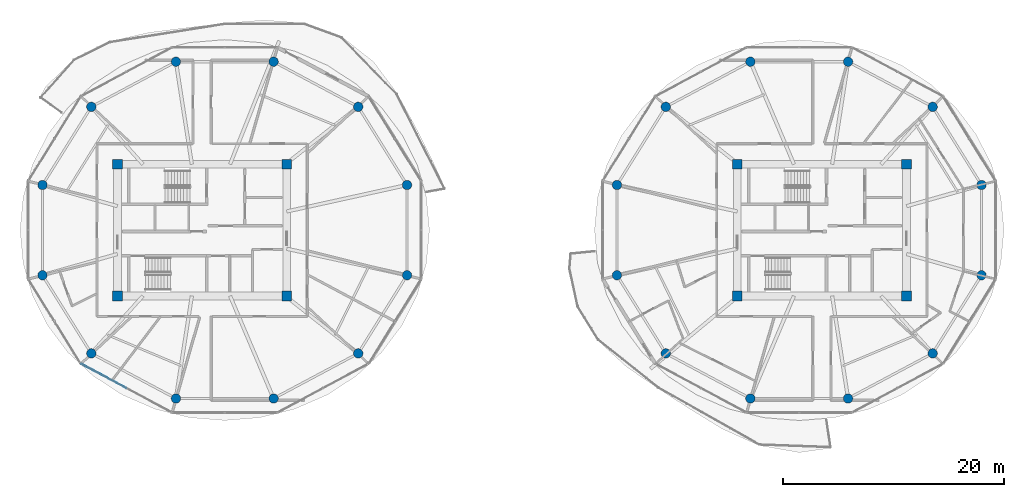
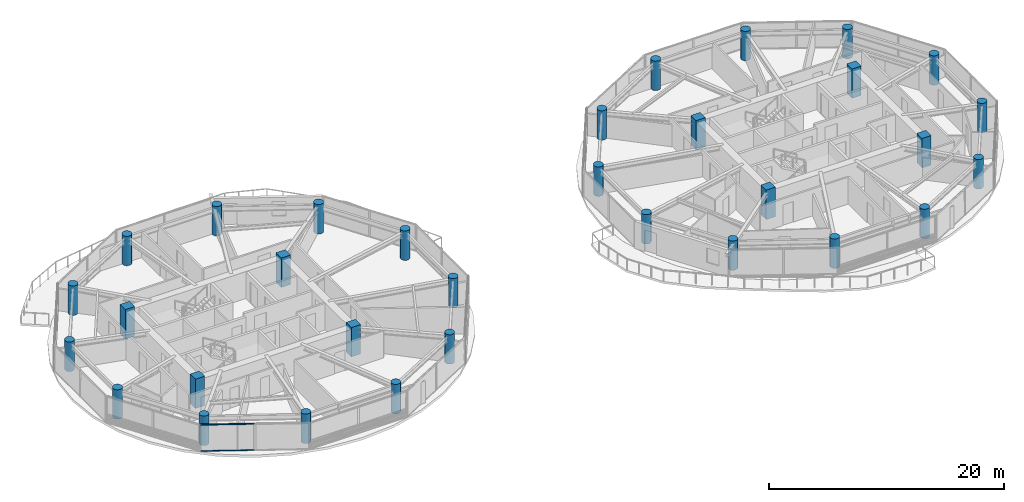
# One storey, part 1 of 23: 32 columns, 2 members, 1 element without a shape of its own.
"""IFC4 building model written with IfcOpenShell, lengths in metres."""

import ifcopenshell
import ifcopenshell.guid

model = None  # the IFC model being written
_history = None  # IfcOwnerHistory: only IFC2X3 demands one
_inside = {}  # id of a spatial element -> (the spatial element, [elements in it])
_under = {}  # id of a project, library or spatial element -> (it, [spatial elements below it])
_declared = {}  # id of a project -> (the project, [libraries it declares])
_typed = {}  # id of a type object -> (the type object, [elements of that type])
_made_of = {}  # id of a material, layer set ... -> (it, [elements and type objects made of it])


def new_model(schema):
    """Start an empty IFC model of exactly this schema.

    Asked for "IFC4X3", IfcOpenShell would pick the latest addendum, in which some entities
    have other attributes; the version numbers below select the first issue.
    IFC2X3 requires an IfcOwnerHistory on every rooted entity: one is made here for all.
    """
    global model, _history
    if schema == "IFC4X3":
        model = ifcopenshell.file(schema_version=(4, 3, 0, 0))
    else:
        model = ifcopenshell.file(schema=schema)
    _inside.clear()
    _under.clear()
    _declared.clear()
    _typed.clear()
    _made_of.clear()
    _history = None
    if model.schema == "IFC2X3":
        org = make("IfcOrganization", Name="unknown")
        user = make(
            "IfcPersonAndOrganization",
            ThePerson=make("IfcPerson", FamilyName="unknown"),
            TheOrganization=org,
        )
        app = make(
            "IfcApplication",
            ApplicationDeveloper=org,
            Version="unknown",
            ApplicationFullName="unknown",
            ApplicationIdentifier="unknown",
        )
        _history = make(
            "IfcOwnerHistory",
            OwningUser=user,
            OwningApplication=app,
            ChangeAction="ADDED",
            CreationDate=0,
        )
    return model


def make(cls, **values):
    """One entity of the class cls with the attributes given. An attribute that is None is left unset."""
    return model.create_entity(
        cls, **{name: value for name, value in values.items() if value is not None}
    )


def rooted(cls, **values):
    """An entity with a GlobalId (a new one), such as an element, a storey or a relation."""
    return make(cls, GlobalId=ifcopenshell.guid.new(), OwnerHistory=_history, **values)


def si_unit(unit_type, name, prefix=None):
    """IfcSIUnit, for example si_unit("LENGTHUNIT", "METRE", prefix="MILLI")."""
    return make("IfcSIUnit", UnitType=unit_type, Prefix=prefix, Name=name)


def assignment(units):
    """IfcUnitAssignment: the units of a project."""
    return None if units is None else make("IfcUnitAssignment", Units=units)


def point(xyz):
    """IfcCartesianPoint."""
    return None if xyz is None else make("IfcCartesianPoint", Coordinates=xyz)


def direction(xyz):
    """IfcDirection."""
    return None if xyz is None else make("IfcDirection", DirectionRatios=xyz)


def frame(location, z_axis=None, x_axis=None):
    """IfcAxis2Placement3D, a coordinate frame: its origin and axes. An axis left out is left unset."""
    return make(
        "IfcAxis2Placement3D",
        Location=point(location),
        Axis=direction(z_axis),
        RefDirection=direction(x_axis),
    )


def frame_2d(location, x_axis=None):
    """IfcAxis2Placement2D, a coordinate frame in the plane: its origin and x axis."""
    return make(
        "IfcAxis2Placement2D", Location=point(location), RefDirection=direction(x_axis)
    )


def origin():
    """The frame at (0, 0, 0) with its axes left unset."""
    return frame((0.0, 0.0, 0.0))


def origin_2d():
    """The frame at (0, 0) in the plane with its x axis left unset."""
    return frame_2d((0.0, 0.0))


def place(relative_to, where):
    """IfcLocalPlacement: puts the frame where relative to a parent placement (None: the world)."""
    return make(
        "IfcLocalPlacement", PlacementRelTo=relative_to, RelativePlacement=where
    )


def context(
    kind, dimensions, precision=None, world=None, true_north=None, identifier=None
):
    """IfcGeometricRepresentationContext, for example the 3D "Model" context."""
    return make(
        "IfcGeometricRepresentationContext",
        ContextIdentifier=identifier,
        ContextType=kind,
        CoordinateSpaceDimension=dimensions,
        Precision=precision,
        WorldCoordinateSystem=world,
        TrueNorth=true_north,
    )


def subcontext(parent, identifier, kind, view, scale=None):
    """IfcGeometricRepresentationSubContext, for example "Body" below "Model"."""
    return make(
        "IfcGeometricRepresentationSubContext",
        ContextIdentifier=identifier,
        ContextType=kind,
        ParentContext=parent,
        TargetScale=scale,
        TargetView=view,
    )


def project(units=None, contexts=None):
    """IfcProject with its units and contexts."""
    return rooted(
        "IfcProject",
        Name="project",
        RepresentationContexts=contexts,
        UnitsInContext=assignment(units),
    )


def spatial(cls, under=None, at=None, **own):
    """A site, building, storey or space (cls), placed at a placement, below another one or the project."""
    s = rooted(cls, ObjectPlacement=at, **own)
    if under is not None:
        _under.setdefault(under.id(), (under, []))[1].append(s)
    return s


def profile(cls, at=None, kind="AREA", **sizes):
    """A parametric profile (cls). Its sizes go by their IFC names, for example OverallWidth=200.0."""
    return make(cls, ProfileType=kind, Position=at, **sizes)


def rectangle(**sizes):
    """IfcRectangleProfileDef."""
    return profile("IfcRectangleProfileDef", **sizes)


def circle(**sizes):
    """IfcCircleProfileDef."""
    return profile("IfcCircleProfileDef", **sizes)


def extrude(swept, where, along, depth):
    """IfcExtrudedAreaSolid: the profile swept, set in the frame where, extruded along a direction by depth."""
    return make(
        "IfcExtrudedAreaSolid",
        SweptArea=swept,
        Position=where,
        ExtrudedDirection=direction(along),
        Depth=depth,
    )


def shape(context_of_items, identifier, shape_type, items):
    """IfcShapeRepresentation: the items that make up one representation, for example the "Body"."""
    return make(
        "IfcShapeRepresentation",
        ContextOfItems=context_of_items,
        RepresentationIdentifier=identifier,
        RepresentationType=shape_type,
        Items=items,
    )


def source(mapping_origin, context_of_items, identifier, shape_type, items):
    """IfcRepresentationMap: a shape defined once, which mapped items show again and again."""
    return make(
        "IfcRepresentationMap",
        MappingOrigin=mapping_origin,
        MappedRepresentation=shape(context_of_items, identifier, shape_type, items),
    )


def transform(
    local_origin,
    x_axis=None,
    y_axis=None,
    z_axis=None,
    scale=None,
    scale2=None,
    scale3=None,
    uniform=True,
):
    """IfcCartesianTransformationOperator3D, or its non-uniform kind. x_axis, y_axis, z_axis: its Axis1, 2, 3."""
    if uniform:
        return make(
            "IfcCartesianTransformationOperator3D",
            Axis1=direction(x_axis),
            Axis2=direction(y_axis),
            LocalOrigin=point(local_origin),
            Scale=scale,
            Axis3=direction(z_axis),
        )
    return make(
        "IfcCartesianTransformationOperator3DnonUniform",
        Axis1=direction(x_axis),
        Axis2=direction(y_axis),
        LocalOrigin=point(local_origin),
        Scale=scale,
        Axis3=direction(z_axis),
        Scale2=scale2,
        Scale3=scale3,
    )


def mapped(mapping_source, mapping_target):
    """IfcMappedItem: shows the shape of a source again, moved by a transform."""
    return make(
        "IfcMappedItem", MappingSource=mapping_source, MappingTarget=mapping_target
    )


def material(Name=None, Category=None):
    """IfcMaterial."""
    return make("IfcMaterial", Name=Name, Category=Category)


def layer(
    of_material, thickness, ventilated=None, Name=None, Category=None, Priority=None
):
    """IfcMaterialLayer: one layer of a wall or slab, of a material (None: an air gap)."""
    return make(
        "IfcMaterialLayer",
        Material=of_material,
        LayerThickness=thickness,
        IsVentilated=ventilated,
        Name=Name,
        Category=Category,
        Priority=Priority,
    )


def layer_set(layers, Name=None):
    """IfcMaterialLayerSet."""
    return make("IfcMaterialLayerSet", MaterialLayers=layers, LayerSetName=Name)


def material_profile(
    of_material, cross_section, Name=None, Category=None, Priority=None
):
    """IfcMaterialProfile: a cross section and its material."""
    return make(
        "IfcMaterialProfile",
        Name=Name,
        Material=of_material,
        Profile=cross_section,
        Priority=Priority,
        Category=Category,
    )


def profile_set(profiles, Name=None, composite=None):
    """IfcMaterialProfileSet."""
    return make(
        "IfcMaterialProfileSet",
        Name=Name,
        MaterialProfiles=profiles,
        CompositeProfile=composite,
    )


def made_of(thing, what):
    """Note that an element or type object is made of a material, layer set ...; save() writes the relation."""
    if what is not None:
        _made_of.setdefault(what.id(), (what, []))[1].append(thing)
    return thing


def type_object(cls, material=None, **own):
    """A type object (cls), such as IfcWallType, which elements share."""
    return made_of(rooted(cls, **own), material)


def type_shapes(of_type, sources):
    """Give a type object the sources (RepresentationMaps) that its elements show as mapped items."""
    of_type.RepresentationMaps = sources


def element(
    cls,
    number,
    at=None,
    inside=None,
    cuts=None,
    type_object=None,
    material=None,
    context=None,
    identifier="Body",
    shape_type=None,
    held_by="IfcProductDefinitionShape",
    body=None,
    shapes=None,
    **own,
):
    """One element of the class cls, such as IfcWall. Its Tag is "e" and its number.

    at: its placement. inside: the storey or other place that contains it. cuts: it is an
    opening in that element (IfcRelVoidsElement). A single representation is given by context,
    identifier, shape_type and body (its items); several are given by shapes. held_by: the class
    of the entity that holds the representations. save() writes the other relations.
    """
    e = rooted(cls, Tag="e%d" % number, ObjectPlacement=at, **own)
    if body is not None:
        shapes = [shape(context, identifier, shape_type, body)]
    if shapes is not None:
        e.Representation = make(held_by, Representations=shapes)
    if inside is not None:
        _inside.setdefault(inside.id(), (inside, []))[1].append(e)
    if cuts is not None:
        rooted(
            "IfcRelVoidsElement", RelatingBuildingElement=cuts, RelatedOpeningElement=e
        )
    if type_object is not None:
        _typed.setdefault(type_object.id(), (type_object, []))[1].append(e)
    return made_of(e, material)


def aggregate(whole, parts):
    """IfcRelAggregates: a whole, such as a stair, and the parts it consists of."""
    return rooted("IfcRelAggregates", RelatingObject=whole, RelatedObjects=parts)


def save(model, path):
    """Write the relations noted so far, then the file.

    IfcRelAggregates (storeys below a building ...), IfcRelContainedInSpatialStructure (elements
    in a storey), IfcRelDefinesByType, IfcRelAssociatesMaterial and IfcRelDeclares: one each for
    every whole, place, type object, material and project.
    """
    for whole, parts in _under.values():
        aggregate(whole, parts)
    for where, things in _inside.values():
        rooted(
            "IfcRelContainedInSpatialStructure",
            RelatedElements=things,
            RelatingStructure=where,
        )
    for kind, things in _typed.values():
        rooted("IfcRelDefinesByType", RelatedObjects=things, RelatingType=kind)
    for what, things in _made_of.values():
        rooted("IfcRelAssociatesMaterial", RelatedObjects=things, RelatingMaterial=what)
    for by, libraries in _declared.values():
        rooted("IfcRelDeclares", RelatingContext=by, RelatedDefinitions=libraries)
    model.write(path)


model = new_model("IFC4")

# Units and contexts
model_context = context("Model", 3, precision=1e-05, world=origin(), true_north=direction((0.0, 1.0)))
body_context = subcontext(model_context, "Body", "Model", "MODEL_VIEW")
ifc_project = project(units=[si_unit("LENGTHUNIT", "METRE"), si_unit("AREAUNIT", "SQUARE_METRE"), si_unit("VOLUMEUNIT", "CUBIC_METRE"), si_unit("PLANEANGLEUNIT", "RADIAN"), si_unit("MASSUNIT", "GRAM", prefix="KILO")], contexts=[model_context])

# Site, building, storey
site_placement = place(None, origin())
site = spatial("IfcSite", under=ifc_project, at=site_placement, CompositionType="ELEMENT")
building_placement = place(site_placement, origin())
building = spatial("IfcBuilding", under=site, at=building_placement, Name="Norrkilde Senior Care Towers", CompositionType="ELEMENT")
storey_placement = place(building_placement, frame((0.0, 0.0, 81.0)))
storey = spatial("IfcBuildingStorey", under=building, at=storey_placement, Name="L24", CompositionType="ELEMENT", Elevation=81.0)

# Columns
ifc_material_1 = material(Name="Concrete C60/75", Category="concrete")
ifc_material_profile_1 = material_profile(ifc_material_1, rectangle(XDim=0.89990234375, YDim=0.89990234375, at=origin_2d()), Name="RC COL 900x900")
ifc_profile_set_1 = profile_set([ifc_material_profile_1], Name="Concrete C60/75")
column_type_1 = type_object("IfcColumnType", Name="Column Core Corner Z1-Z2 900", PredefinedType="COLUMN", material=ifc_profile_set_1)
shared_shape_1 = source(origin(), body_context, "Body", "SweptSolid", [
    extrude(rectangle(XDim=0.89990234375, YDim=0.89990234375, at=origin_2d()), origin(), (0.0, 0.0, 1.0), 3.050048828125),
])
type_shapes(column_type_1, [shared_shape_1])
for number, where, z_axis, x_axis, name in (
    (1, (-35.64990234375, -5.949951171875, 0.0), (0.0, 0.0, 1.0), (1.0, 0.0, 0.0), "L24 Core W Corner Column 1"),
    (2, (-20.35009765625, -5.949951171875, 0.0), (0.0, 0.0, 1.0), (1.0, 0.0, 0.0), "L24 Core W Corner Column 2"),
    (3, (-20.35009765625, 5.949951171875, 0.0), (0.0, 0.0, 1.0), (1.0, 0.0, 0.0), "L24 Core W Corner Column 3"),
    (4, (-35.64990234375, 5.949951171875, 0.0), (0.0, 0.0, 1.0), (1.0, 0.0, 0.0), "L24 Core W Corner Column 4"),
    (5, (20.35009765625, -5.949951171875, 0.0), (0.0, 0.0, 1.0), (1.0, 0.0, 0.0), "L24 Core E Corner Column 1"),
    (6, (35.64990234375, -5.949951171875, 0.0), (0.0, 0.0, 1.0), (1.0, 0.0, 0.0), "L24 Core E Corner Column 2"),
    (7, (35.64990234375, 5.949951171875, 0.0), (0.0, 0.0, 1.0), (1.0, 0.0, 0.0), "L24 Core E Corner Column 3"),
    (8, (20.35009765625, 5.949951171875, 0.0), (0.0, 0.0, 1.0), (1.0, 0.0, 0.0), "L24 Core E Corner Column 4"),
):
    element("IfcColumn", number, at=place(storey_placement, frame(where, z_axis=z_axis, x_axis=x_axis)), inside=storey, type_object=column_type_1, Name=name, PredefinedType="COLUMN", context=body_context, shape_type="MappedRepresentation", body=[
        mapped(shared_shape_1, transform((0.0, 0.0, 0.0), x_axis=(1.0, 0.0, 0.0), y_axis=(0.0, 1.0, 0.0), z_axis=(0.0, 0.0, 1.0), scale=1.0)),
    ])
ifc_material_profile_2 = material_profile(ifc_material_1, circle(Radius=0.425048828125, at=origin_2d()), Name="RC CIR 850")
ifc_profile_set_2 = profile_set([ifc_material_profile_2], Name="Concrete C60/75")
column_type_2 = type_object("IfcColumnType", Name="Column Perimeter Z2 850", PredefinedType="COLUMN", material=ifc_profile_set_2)
shared_shape_2 = source(origin(), body_context, "Body", "SweptSolid", [
    extrude(circle(Radius=0.425048828125, at=origin_2d()), origin(), (0.0, 0.0, 1.0), 3.050048828125),
])
type_shapes(column_type_2, [shared_shape_2])
for number, where, z_axis, x_axis, name in (
    (9, (-9.48095703125, 4.076416015625, 0.0), (0.0, 0.0, 1.0), (1.0, 0.0, 0.0), "L24 Drum W Perimeter Column 01"),
    (10, (-13.893798828125, 11.136962890625, 0.0), (0.0, 0.0, 1.0), (1.0, 0.0, 0.0), "L24 Drum W Perimeter Column 02"),
    (11, (-21.537109375, 15.21337890625, 0.0), (0.0, 0.0, 1.0), (1.0, 0.0, 0.0), "L24 Drum W Perimeter Column 03"),
    (12, (-30.36279296875, 15.21337890625, 0.0), (0.0, 0.0, 1.0), (1.0, 0.0, 0.0), "L24 Drum W Perimeter Column 04"),
    (13, (-38.006103515625, 11.136962890625, 0.0), (0.0, 0.0, 1.0), (1.0, 0.0, 0.0), "L24 Drum W Perimeter Column 05"),
    (14, (-42.4189453125, 4.076416015625, 0.0), (0.0, 0.0, 1.0), (1.0, 0.0, 0.0), "L24 Drum W Perimeter Column 06"),
    (15, (-42.4189453125, -4.076416015625, 0.0), (0.0, 0.0, 1.0), (1.0, 0.0, 0.0), "L24 Drum W Perimeter Column 07"),
    (16, (-38.006103515625, -11.136962890625, 0.0), (0.0, 0.0, 1.0), (1.0, 0.0, 0.0), "L24 Drum W Perimeter Column 08"),
    (17, (-30.36279296875, -15.21337890625, 0.0), (0.0, 0.0, 1.0), (1.0, 0.0, 0.0), "L24 Drum W Perimeter Column 09"),
    (18, (-21.537109375, -15.21337890625, 0.0), (0.0, 0.0, 1.0), (1.0, 0.0, 0.0), "L24 Drum W Perimeter Column 10"),
    (19, (-13.893798828125, -11.136962890625, 0.0), (0.0, 0.0, 1.0), (1.0, 0.0, 0.0), "L24 Drum W Perimeter Column 11"),
    (20, (-9.48095703125, -4.076416015625, 0.0), (0.0, 0.0, 1.0), (1.0, 0.0, 0.0), "L24 Drum W Perimeter Column 12"),
    (21, (42.4189453125, 4.076416015625, 0.0), (0.0, 0.0, 1.0), (1.0, 0.0, 0.0), "L24 Drum E Perimeter Column 01"),
    (22, (38.006103515625, 11.136962890625, 0.0), (0.0, 0.0, 1.0), (1.0, 0.0, 0.0), "L24 Drum E Perimeter Column 02"),
    (23, (30.36279296875, 15.21337890625, 0.0), (0.0, 0.0, 1.0), (1.0, 0.0, 0.0), "L24 Drum E Perimeter Column 03"),
    (24, (21.537109375, 15.21337890625, 0.0), (0.0, 0.0, 1.0), (1.0, 0.0, 0.0), "L24 Drum E Perimeter Column 04"),
    (25, (13.893798828125, 11.136962890625, 0.0), (0.0, 0.0, 1.0), (1.0, 0.0, 0.0), "L24 Drum E Perimeter Column 05"),
    (26, (9.48095703125, 4.076416015625, 0.0), (0.0, 0.0, 1.0), (1.0, 0.0, 0.0), "L24 Drum E Perimeter Column 06"),
    (27, (9.48095703125, -4.076416015625, 0.0), (0.0, 0.0, 1.0), (1.0, 0.0, 0.0), "L24 Drum E Perimeter Column 07"),
    (28, (13.893798828125, -11.136962890625, 0.0), (0.0, 0.0, 1.0), (1.0, 0.0, 0.0), "L24 Drum E Perimeter Column 08"),
    (29, (21.537109375, -15.21337890625, 0.0), (0.0, 0.0, 1.0), (1.0, 0.0, 0.0), "L24 Drum E Perimeter Column 09"),
    (30, (30.36279296875, -15.21337890625, 0.0), (0.0, 0.0, 1.0), (1.0, 0.0, 0.0), "L24 Drum E Perimeter Column 10"),
    (31, (38.006103515625, -11.136962890625, 0.0), (0.0, 0.0, 1.0), (1.0, 0.0, 0.0), "L24 Drum E Perimeter Column 11"),
    (32, (42.4189453125, -4.076416015625, 0.0), (0.0, 0.0, 1.0), (1.0, 0.0, 0.0), "L24 Drum E Perimeter Column 12"),
):
    element("IfcColumn", number, at=place(storey_placement, frame(where, z_axis=z_axis, x_axis=x_axis)), inside=storey, type_object=column_type_2, Name=name, PredefinedType="COLUMN", context=body_context, shape_type="MappedRepresentation", body=[
        mapped(shared_shape_2, transform((0.0, 0.0, 0.0), x_axis=(1.0, 0.0, 0.0), y_axis=(0.0, 1.0, 0.0), z_axis=(0.0, 0.0, 1.0), scale=1.0)),
    ])

# Curtain wall, members
ifc_material_2 = material(Name="Triple Low-E Insulated Glazing", Category="glass")
ifc_layer = layer(ifc_material_2, 0.195068359375)
ifc_layer_set = layer_set([ifc_layer], Name="Triple Low-E Insulated Glazing")
curtain_wall_type = type_object("IfcCurtainWallType", Name="CW3 Zone 2 Assisted Living Curtain Wall", PredefinedType="NOTDEFINED", material=ifc_layer_set)
curtain_wall_placement = place(storey_placement, origin())
curtain_wall = element("IfcCurtainWall", 33, at=curtain_wall_placement, inside=storey, type_object=curtain_wall_type, Name="L24 Drum W Curtain Wall 07", PredefinedType="NOTDEFINED")
ifc_material_3 = material(Name="Anodised Aluminium", Category="aluminium")
ifc_material_profile_3 = material_profile(ifc_material_3, rectangle(XDim=0.06005859375, YDim=0.1201171875, at=origin_2d()), Name="ALU TRAN 60x120")
ifc_profile_set_3 = profile_set([ifc_material_profile_3], Name="Anodised Aluminium")
member_type = type_object("IfcMemberType", Name="Curtain Wall Transom Typical 60x120", PredefinedType="USERDEFINED", material=ifc_profile_set_3)
shared_shape_3 = source(origin(), body_context, "Body", "SweptSolid", [
    extrude(rectangle(XDim=0.06005859375, YDim=0.1201171875, at=origin_2d()), origin(), (0.0, 0.0, 1.0), 4.57763671875),
])
type_shapes(member_type, [shared_shape_3])
member_1_placement = place(storey_placement, frame((-34.85546875, -14.272216796875, 0.030029296875), z_axis=(-0.881204703403, 0.472734884159, 0.0), x_axis=(-0.472734884159, -0.881204703403, 0.0)))
member_1 = element("IfcMember", 34, at=member_1_placement, type_object=member_type, Name="CW-3 transom 2.1", ObjectType="TRANSOM", PredefinedType="USERDEFINED", context=body_context, shape_type="MappedRepresentation", body=[
    mapped(shared_shape_3, transform((0.0, 0.0, 0.0), x_axis=(1.0, 0.0, 0.0), y_axis=(0.0, 1.0, 0.0), z_axis=(0.0, 0.0, 1.0), scale=1.0)),
])
member_2_placement = place(storey_placement, frame((-34.85546875, -14.272216796875, 2.760009765625), z_axis=(-0.881204703403, 0.472734884159, 0.0), x_axis=(-0.472734884159, -0.881204703403, 0.0)))
member_2 = element("IfcMember", 35, at=member_2_placement, type_object=member_type, Name="CW-3 transom 2.2", ObjectType="TRANSOM", PredefinedType="USERDEFINED", context=body_context, shape_type="MappedRepresentation", body=[
    mapped(shared_shape_3, transform((0.0, 0.0, 0.0), x_axis=(1.0, 0.0, 0.0), y_axis=(0.0, 1.0, 0.0), z_axis=(0.0, 0.0, 1.0), scale=1.0)),
])
aggregate(curtain_wall, [member_1, member_2])

save(model, "model.ifc")
